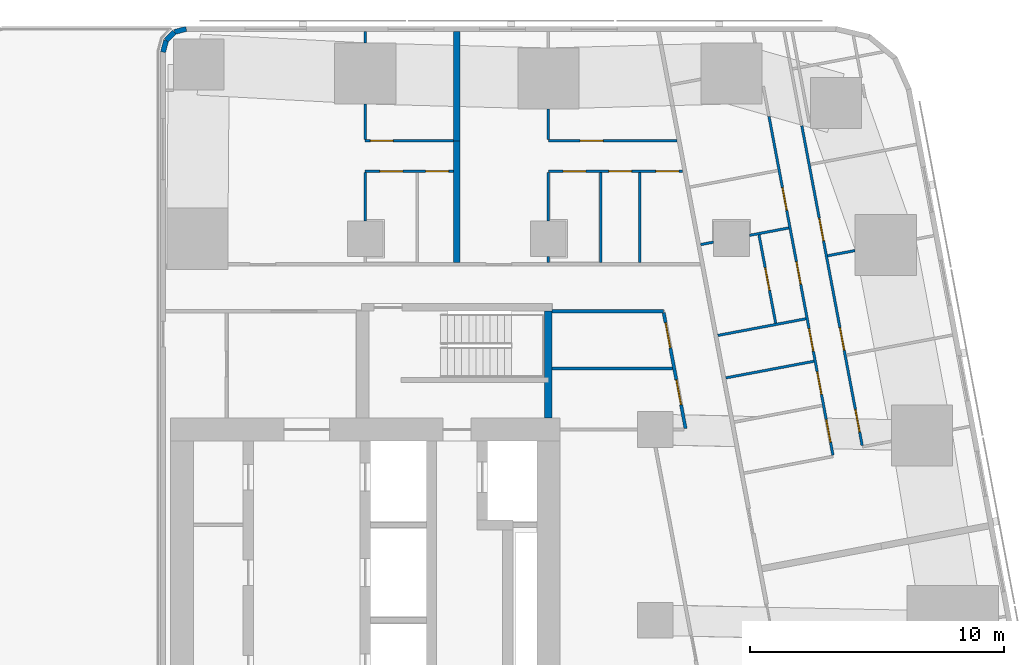
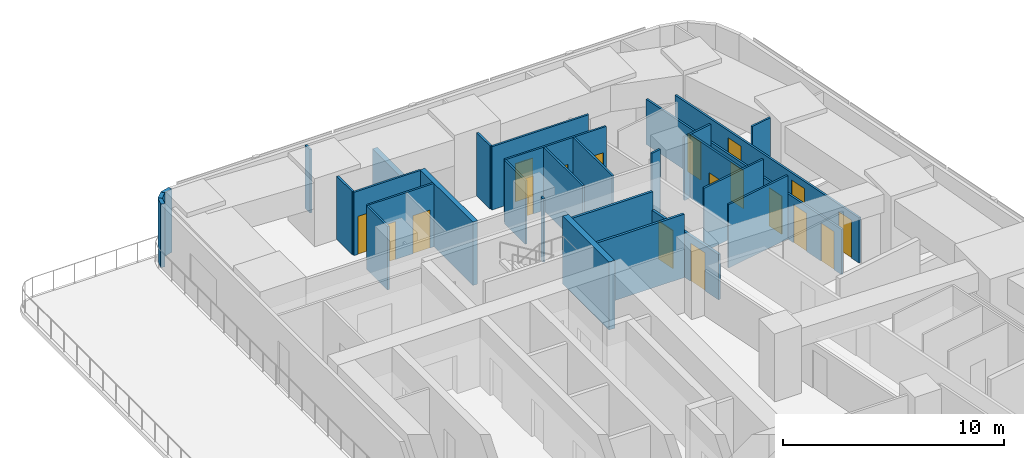
# One storey, part 7 of 11: 29 walls, 18 doors, 18 openings.
"""IFC4 building model written with IfcOpenShell, lengths in metres."""

from ifc_helpers import new_model, si_unit, direction, frame, frame_2d, origin, place, context, subcontext, project, spatial, rectangle, extrude, material, layer, layer_set, type_object, element, fill, save


model = new_model("IFC4")

# Units and contexts
model_context = context("Model", 3, precision=1e-05, world=origin(), true_north=direction((0.0, 1.0)))
body_context = subcontext(model_context, "Body", "Model", "MODEL_VIEW")
ifc_project = project(units=[si_unit("LENGTHUNIT", "METRE"), si_unit("AREAUNIT", "SQUARE_METRE"), si_unit("VOLUMEUNIT", "CUBIC_METRE"), si_unit("PLANEANGLEUNIT", "RADIAN"), si_unit("MASSUNIT", "GRAM", prefix="KILO")], contexts=[model_context])

# Site, building, storey
site_placement = place(None, origin())
site = spatial("IfcSite", under=ifc_project, at=site_placement, CompositionType="ELEMENT")
building_placement = place(site_placement, origin())
building = spatial("IfcBuilding", under=site, at=building_placement, Name="Sheger Commons Tower", CompositionType="ELEMENT")
storey_placement = place(building_placement, frame((0.0, 0.0, 223.699951171875)))
storey = spatial("IfcBuildingStorey", under=building, at=storey_placement, Name="L57", CompositionType="ELEMENT", Elevation=223.699951171875)

# Walls
ifc_material_1 = material(Name="Dense concrete block masonry, plastered both sides (separating wall between flats)", Category="masonry")
ifc_layer_1 = layer(ifc_material_1, 0.25)
ifc_layer_set_1 = layer_set([ifc_layer_1], Name="DEMISING WALL 250")
wall_type_1 = type_object("IfcWallType", Name="DEMISING WALL 250", PredefinedType="SOLIDWALL", material=ifc_layer_set_1)
wall_1_placement = place(storey_placement, frame((25.199951171875, 41.35009765625, 0.0), z_axis=(0.0, 0.0, 1.0), x_axis=(0.0, 1.0, 0.0)))
element("IfcWall", 1, at=wall_1_placement, inside=storey, type_object=wall_type_1, Name="Demising wall L57", PredefinedType="SOLIDWALL", context=body_context, shape_type="SweptSolid", body=[
    extrude(rectangle(XDim=4.2998046875, YDim=0.25, at=frame_2d((2.14990234375, 0.0))), origin(), (0.0, 0.0, 1.0), 2.050048828125),
])
wall_2_placement = place(storey_placement, frame((25.199951171875, 36.574951171875, 0.0), z_axis=(0.0, 0.0, 1.0), x_axis=(0.0, 1.0, 0.0)))
element("IfcWall", 2, at=wall_2_placement, inside=storey, type_object=wall_type_1, Name="Demising wall L57", PredefinedType="SOLIDWALL", context=body_context, shape_type="SweptSolid", body=[
    extrude(rectangle(XDim=4.775146484375, YDim=0.25, at=frame_2d((2.3876953125, 0.0))), origin(), (0.0, 0.0, 1.0), 3.5),
])
ifc_material_2 = material(Name="Rendered concrete block masonry, dark grey", Category="masonry")
ifc_layer_2 = layer(ifc_material_2, 0.199951171875)
ifc_layer_set_2 = layer_set([ifc_layer_2], Name="FACADE WALL 200")
wall_type_2 = type_object("IfcWallType", Name="FACADE WALL 200", PredefinedType="SOLIDWALL", material=ifc_layer_set_2)
wall_3_placement = place(storey_placement, frame((14.56298828125, 45.75, 0.0), z_axis=(0.0, 0.0, 1.0), x_axis=(-0.965655254015, -0.259826731483, 0.0)))
element("IfcWall", 3, at=wall_3_placement, inside=storey, type_object=wall_type_2, Name="Facade wall L57", PredefinedType="SOLIDWALL", context=body_context, shape_type="SweptSolid", body=[
    extrude(rectangle(XDim=0.477294921875, YDim=0.199951171875, at=frame_2d((0.23876953125, 0.0))), origin(), (0.0, 0.0, 1.0), 3.5),
])
wall_4_placement = place(storey_placement, frame((14.10205078125, 45.6259765625, 0.0), z_axis=(0.0, 0.0, 1.0), x_axis=(-0.707369890659, -0.706843573776, 0.0)))
element("IfcWall", 4, at=wall_4_placement, inside=storey, type_object=wall_type_2, Name="Facade wall L57", PredefinedType="SOLIDWALL", context=body_context, shape_type="SweptSolid", body=[
    extrude(rectangle(XDim=0.4638671875, YDim=0.199951171875, at=frame_2d((0.23193359375, 0.0))), origin(), (0.0, 0.0, 1.0), 3.5),
])
wall_5_placement = place(storey_placement, frame((13.77392578125, 45.298095703125, 0.0), z_axis=(0.0, 0.0, 1.0), x_axis=(-0.259698463175, -0.965689757751, 0.0)))
element("IfcWall", 5, at=wall_5_placement, inside=storey, type_object=wall_type_2, Name="Facade wall L57", PredefinedType="SOLIDWALL", context=body_context, shape_type="SweptSolid", body=[
    extrude(rectangle(XDim=0.4775390625, YDim=0.199951171875, at=frame_2d((0.23876953125, 0.0))), origin(), (0.0, 0.0, 1.0), 3.5),
])

# Wall, openings, doors
ifc_material_3 = material(Name="Gypsum board on steel studs", Category="steel")
ifc_layer_3 = layer(ifc_material_3, 0.10009765625)
ifc_layer_set_3 = layer_set([ifc_layer_3], Name="PARTITION 100")
wall_type_3 = type_object("IfcWallType", Name="PARTITION 100", PredefinedType="PARTITIONING", material=ifc_layer_set_3)
wall_6_placement = place(storey_placement, frame((38.763916015625, 41.94091796875, 0.0), z_axis=(0.0, 0.0, 1.0), x_axis=(0.185512176227, -0.982641965556, 0.0)))
wall_6 = element("IfcWall", 6, at=wall_6_placement, inside=storey, type_object=wall_type_3, Name="Partition L57", PredefinedType="PARTITIONING", context=body_context, shape_type="SweptSolid", body=[
    extrude(rectangle(XDim=12.791748046875, YDim=0.10009765625, at=frame_2d((6.39599609375, 0.0))), origin(), (0.0, 0.0, 1.0), 2.5),
])
opening_1_placement = place(wall_6_placement, frame((11.35009765625, 0.0, 0.0)))
opening_1 = element("IfcOpeningElement", 7, at=opening_1_placement, cuts=wall_6, Name="Opening D2", PredefinedType="OPENING", context=body_context, shape_type="SweptSolid", body=[
    extrude(rectangle(XDim=0.89990234375, YDim=2.10009765625, at=frame_2d((0.449951171875, 1.050048828125))), frame((0.0, 0.06005859375, 0.0), z_axis=(0.0, -1.0, 0.0), x_axis=(1.0, 0.0, 0.0)), (0.0, 0.0, 1.0), 0.1201171875),
])
opening_2_placement = place(wall_6_placement, frame((8.0849609375, 0.0, 0.0)))
opening_2 = element("IfcOpeningElement", 8, at=opening_2_placement, cuts=wall_6, Name="Opening D2", PredefinedType="OPENING", context=body_context, shape_type="SweptSolid", body=[
    extrude(rectangle(XDim=0.89990234375, YDim=2.10009765625, at=frame_2d((0.449951171875, 1.050048828125))), frame((0.0, 0.06005859375, 0.0), z_axis=(0.0, -1.0, 0.0), x_axis=(1.0, 0.0, 0.0)), (0.0, 0.0, 1.0), 0.1201171875),
])
opening_3_placement = place(wall_6_placement, frame((3.699951171875, 0.0, 0.0)))
opening_3 = element("IfcOpeningElement", 9, at=opening_3_placement, cuts=wall_6, Name="Opening D2", PredefinedType="OPENING", context=body_context, shape_type="SweptSolid", body=[
    extrude(rectangle(XDim=0.89990234375, YDim=2.10009765625, at=frame_2d((0.449951171875, 1.050048828125))), frame((0.0, 0.06005859375, 0.0), z_axis=(0.0, -1.0, 0.0), x_axis=(1.0, 0.0, 0.0)), (0.0, 0.0, 1.0), 0.1201171875),
])
ifc_material_4 = material(Name="Timber door set", Category="wood")
door_type_1 = type_object("IfcDoorType", Name="INTERNAL DOOR 900x2100", OperationType="NOTDEFINED", PredefinedType="DOOR", material=ifc_material_4)
door_1_placement = place(opening_1_placement, origin())
door_1 = element("IfcDoor", 10, at=door_1_placement, inside=storey, type_object=door_type_1, Name="Main bedroom door", OperationType="SINGLE_SWING_RIGHT", OverallHeight=2.10009765625, OverallWidth=0.89990234375, PredefinedType="DOOR", context=body_context, shape_type="SweptSolid", body=[
    extrude(rectangle(XDim=0.89990234375, YDim=2.10009765625, at=frame_2d((0.449951171875, 1.050048828125))), frame((0.0, 0.02490234375, 0.0), z_axis=(0.0, -1.0, 0.0), x_axis=(1.0, 0.0, 0.0)), (0.0, 0.0, 1.0), 0.050048828125),
])
fill(opening_1, door_1)
door_2_placement = place(opening_2_placement, origin())
door_2 = element("IfcDoor", 11, at=door_2_placement, inside=storey, type_object=door_type_1, Name="Bedroom 2 door", OperationType="SINGLE_SWING_RIGHT", OverallHeight=2.10009765625, OverallWidth=0.89990234375, PredefinedType="DOOR", context=body_context, shape_type="SweptSolid", body=[
    extrude(rectangle(XDim=0.89990234375, YDim=2.10009765625, at=frame_2d((0.449951171875, 1.050048828125))), frame((0.0, 0.02490234375, 0.0), z_axis=(0.0, -1.0, 0.0), x_axis=(1.0, 0.0, 0.0)), (0.0, 0.0, 1.0), 0.050048828125),
])
fill(opening_2, door_2)
door_3_placement = place(opening_3_placement, origin())
door_3 = element("IfcDoor", 12, at=door_3_placement, inside=storey, type_object=door_type_1, Name="Bedroom 3 door", OperationType="SINGLE_SWING_RIGHT", OverallHeight=2.10009765625, OverallWidth=0.89990234375, PredefinedType="DOOR", context=body_context, shape_type="SweptSolid", body=[
    extrude(rectangle(XDim=0.89990234375, YDim=2.10009765625, at=frame_2d((0.449951171875, 1.050048828125))), frame((0.0, 0.02490234375, 0.0), z_axis=(0.0, -1.0, 0.0), x_axis=(1.0, 0.0, 0.0)), (0.0, 0.0, 1.0), 0.050048828125),
])
fill(opening_3, door_3)

wall_7_placement = place(storey_placement, frame((37.472900390625, 42.30908203125, 0.0), z_axis=(0.0, 0.0, 1.0), x_axis=(0.185570636839, -0.982630927024, 0.0)))
wall_7 = element("IfcWall", 13, at=wall_7_placement, inside=storey, type_object=wall_type_3, Name="Partition L57", PredefinedType="PARTITIONING", context=body_context, shape_type="SweptSolid", body=[
    extrude(rectangle(XDim=13.553466796875, YDim=0.10009765625, at=frame_2d((6.77685546875, 0.0))), origin(), (0.0, 0.0, 1.0), 2.5),
])
opening_4_placement = place(wall_7_placement, frame((12.1279296875, 0.0, 0.0)))
opening_4 = element("IfcOpeningElement", 14, at=opening_4_placement, cuts=wall_7, Name="Opening D2", PredefinedType="OPENING", context=body_context, shape_type="SweptSolid", body=[
    extrude(rectangle(XDim=0.89990234375, YDim=2.10009765625, at=frame_2d((0.449951171875, 1.050048828125))), frame((0.0, 0.06005859375, 0.0), z_axis=(0.0, -1.0, 0.0), x_axis=(1.0, 0.0, 0.0)), (0.0, 0.0, 1.0), 0.1201171875),
])
opening_5_placement = place(wall_7_placement, frame((8.487060546875, 0.0, 0.0)))
opening_5 = element("IfcOpeningElement", 15, at=opening_5_placement, cuts=wall_7, Name="Opening D2", PredefinedType="OPENING", context=body_context, shape_type="SweptSolid", body=[
    extrude(rectangle(XDim=0.89990234375, YDim=2.10009765625, at=frame_2d((0.449951171875, 1.050048828125))), frame((0.0, 0.06005859375, 0.0), z_axis=(0.0, -1.0, 0.0), x_axis=(1.0, 0.0, 0.0)), (0.0, 0.0, 1.0), 0.1201171875),
])
opening_6_placement = place(wall_7_placement, frame((2.85302734375, 0.0, 0.0)))
opening_6 = element("IfcOpeningElement", 16, at=opening_6_placement, cuts=wall_7, Name="Opening D2", PredefinedType="OPENING", context=body_context, shape_type="SweptSolid", body=[
    extrude(rectangle(XDim=0.89990234375, YDim=2.10009765625, at=frame_2d((0.449951171875, 1.050048828125))), frame((0.0, 0.06005859375, 0.0), z_axis=(0.0, -1.0, 0.0), x_axis=(1.0, 0.0, 0.0)), (0.0, 0.0, 1.0), 0.1201171875),
])
opening_7_placement = place(wall_7_placement, frame((10.219970703125, 0.0, 0.0)))
opening_7 = element("IfcOpeningElement", 17, at=opening_7_placement, cuts=wall_7, Name="Opening D2", PredefinedType="OPENING", context=body_context, shape_type="SweptSolid", body=[
    extrude(rectangle(XDim=0.89990234375, YDim=2.10009765625, at=frame_2d((0.449951171875, 1.050048828125))), frame((0.0, 0.06005859375, 0.0), z_axis=(0.0, -1.0, 0.0), x_axis=(1.0, 0.0, 0.0)), (0.0, 0.0, 1.0), 0.1201171875),
])
opening_8_placement = place(wall_7_placement, frame((5.819091796875, 0.0, 0.0)))
opening_8 = element("IfcOpeningElement", 18, at=opening_8_placement, cuts=wall_7, Name="Opening D2", PredefinedType="OPENING", context=body_context, shape_type="SweptSolid", body=[
    extrude(rectangle(XDim=0.89990234375, YDim=2.10009765625, at=frame_2d((0.449951171875, 1.050048828125))), frame((0.0, 0.06005859375, 0.0), z_axis=(0.0, -1.0, 0.0), x_axis=(1.0, 0.0, 0.0)), (0.0, 0.0, 1.0), 0.1201171875),
])
door_4_placement = place(opening_4_placement, origin())
door_4 = element("IfcDoor", 19, at=door_4_placement, inside=storey, type_object=door_type_1, Name="Bathroom door", OperationType="SINGLE_SWING_LEFT", OverallHeight=2.10009765625, OverallWidth=0.89990234375, PredefinedType="DOOR", context=body_context, shape_type="SweptSolid", body=[
    extrude(rectangle(XDim=0.89990234375, YDim=2.10009765625, at=frame_2d((0.449951171875, 1.050048828125))), frame((0.0, 0.02490234375, 0.0), z_axis=(0.0, -1.0, 0.0), x_axis=(1.0, 0.0, 0.0)), (0.0, 0.0, 1.0), 0.050048828125),
])
fill(opening_4, door_4)
door_5_placement = place(opening_5_placement, origin())
door_5 = element("IfcDoor", 20, at=door_5_placement, inside=storey, type_object=door_type_1, Name="Laundry room door", OperationType="SINGLE_SWING_LEFT", OverallHeight=2.10009765625, OverallWidth=0.89990234375, PredefinedType="DOOR", context=body_context, shape_type="SweptSolid", body=[
    extrude(rectangle(XDim=0.89990234375, YDim=2.10009765625, at=frame_2d((0.449951171875, 1.050048828125))), frame((0.0, 0.02490234375, 0.0), z_axis=(0.0, -1.0, 0.0), x_axis=(1.0, 0.0, 0.0)), (0.0, 0.0, 1.0), 0.050048828125),
])
fill(opening_5, door_5)
door_6_placement = place(opening_6_placement, origin())
door_6 = element("IfcDoor", 21, at=door_6_placement, inside=storey, type_object=door_type_1, Name="Laundry room door", OperationType="SINGLE_SWING_LEFT", OverallHeight=2.10009765625, OverallWidth=0.89990234375, PredefinedType="DOOR", context=body_context, shape_type="SweptSolid", body=[
    extrude(rectangle(XDim=0.89990234375, YDim=2.10009765625, at=frame_2d((0.449951171875, 1.050048828125))), frame((0.0, 0.02490234375, 0.0), z_axis=(0.0, -1.0, 0.0), x_axis=(1.0, 0.0, 0.0)), (0.0, 0.0, 1.0), 0.050048828125),
])
fill(opening_6, door_6)
door_7_placement = place(opening_7_placement, origin())
door_7 = element("IfcDoor", 22, at=door_7_placement, inside=storey, type_object=door_type_1, Name="Store door", OperationType="SINGLE_SWING_RIGHT", OverallHeight=2.10009765625, OverallWidth=0.89990234375, PredefinedType="DOOR", context=body_context, shape_type="SweptSolid", body=[
    extrude(rectangle(XDim=0.89990234375, YDim=2.10009765625, at=frame_2d((0.449951171875, 1.050048828125))), frame((0.0, 0.02490234375, 0.0), z_axis=(0.0, -1.0, 0.0), x_axis=(1.0, 0.0, 0.0)), (0.0, 0.0, 1.0), 0.050048828125),
])
fill(opening_7, door_7)
door_8_placement = place(opening_8_placement, origin())
door_8 = element("IfcDoor", 23, at=door_8_placement, inside=storey, type_object=door_type_1, Name="Store door", OperationType="SINGLE_SWING_RIGHT", OverallHeight=2.10009765625, OverallWidth=0.89990234375, PredefinedType="DOOR", context=body_context, shape_type="SweptSolid", body=[
    extrude(rectangle(XDim=0.89990234375, YDim=2.10009765625, at=frame_2d((0.449951171875, 1.050048828125))), frame((0.0, 0.02490234375, 0.0), z_axis=(0.0, -1.0, 0.0), x_axis=(1.0, 0.0, 0.0)), (0.0, 0.0, 1.0), 0.050048828125),
])
fill(opening_8, door_8)

# Walls
wall_8_placement = place(storey_placement, frame((40.85400390625, 37.033935546875, 0.0), z_axis=(0.0, 0.0, 1.0), x_axis=(-0.982651678759, -0.185460718839, 0.0)))
element("IfcWall", 24, at=wall_8_placement, inside=storey, type_object=wall_type_3, Name="Partition L57", PredefinedType="PARTITIONING", context=body_context, shape_type="SweptSolid", body=[
    extrude(rectangle(XDim=1.093994140625, YDim=0.10009765625, at=frame_2d((0.546875, 0.0))), origin(), (0.0, 0.0, 1.0), 3.5),
])
wall_9_placement = place(storey_placement, frame((38.25, 37.925048828125, 0.0), z_axis=(0.0, 0.0, 1.0), x_axis=(-0.982610209589, -0.185680305934, 0.0)))
element("IfcWall", 25, at=wall_9_placement, inside=storey, type_object=wall_type_3, Name="Partition L57", PredefinedType="PARTITIONING", context=body_context, shape_type="SweptSolid", body=[
    extrude(rectangle(XDim=1.5673828125, YDim=0.10009765625, at=frame_2d((0.78369140625, 0.0))), origin(), (0.0, 0.0, 1.0), 3.5),
])
wall_10_placement = place(storey_placement, frame((35.2900390625, 37.365966796875, 0.0), z_axis=(0.0, 0.0, 1.0), x_axis=(-0.982715597703, -0.185121727606, 0.0)))
element("IfcWall", 26, at=wall_10_placement, inside=storey, type_object=wall_type_3, Name="Partition L57", PredefinedType="PARTITIONING", context=body_context, shape_type="SweptSolid", body=[
    extrude(rectangle(XDim=0.512939453125, YDim=0.10009765625, at=frame_2d((0.25634765625, 0.0))), origin(), (0.0, 0.0, 1.0), 3.5),
])
wall_11_placement = place(storey_placement, frame((39.239990234375, 32.68310546875, 0.0), z_axis=(0.0, 0.0, 1.0), x_axis=(-0.982638553676, -0.185530247748, 0.0)))
element("IfcWall", 27, at=wall_11_placement, inside=storey, type_object=wall_type_3, Name="Partition L57", PredefinedType="PARTITIONING", context=body_context, shape_type="SweptSolid", body=[
    extrude(rectangle(XDim=3.525390625, YDim=0.10009765625, at=frame_2d((1.7626953125, 0.0))), origin(), (0.0, 0.0, 1.0), 3.5),
])
wall_12_placement = place(storey_placement, frame((38.924072265625, 34.35302734375, 0.0), z_axis=(0.0, 0.0, 1.0), x_axis=(-0.982629014545, -0.18558076348, 0.0)))
element("IfcWall", 28, at=wall_12_placement, inside=storey, type_object=wall_type_3, Name="Partition L57", PredefinedType="PARTITIONING", context=body_context, shape_type="SweptSolid", body=[
    extrude(rectangle(XDim=3.5244140625, YDim=0.10009765625, at=frame_2d((1.76220703125, 0.0))), origin(), (0.0, 0.0, 1.0), 3.5),
])

# Wall, opening, door
wall_13_placement = place(storey_placement, frame((21.60009765625, 41.35009765625, 0.0), z_axis=(0.0, 0.0, 1.0), x_axis=(1.0, 0.0, 0.0)))
wall_13 = element("IfcWall", 29, at=wall_13_placement, inside=storey, type_object=wall_type_3, Name="Partition L57", PredefinedType="PARTITIONING", context=body_context, shape_type="SweptSolid", body=[
    extrude(rectangle(XDim=3.474853515625, YDim=0.10009765625, at=frame_2d((1.7373046875, 0.0))), origin(), (0.0, 0.0, 1.0), 3.5),
])
opening_9_placement = place(wall_13_placement, frame((0.199951171875, 0.0, 0.0)))
opening_9 = element("IfcOpeningElement", 30, at=opening_9_placement, cuts=wall_13, Name="Opening D2", PredefinedType="OPENING", context=body_context, shape_type="SweptSolid", body=[
    extrude(rectangle(XDim=0.89990234375, YDim=2.10009765625, at=frame_2d((0.449951171875, 1.050048828125))), frame((0.0, 0.06005859375, 0.0), z_axis=(0.0, -1.0, 0.0), x_axis=(1.0, 0.0, 0.0)), (0.0, 0.0, 1.0), 0.1201171875),
])
door_9_placement = place(opening_9_placement, origin())
door_9 = element("IfcDoor", 31, at=door_9_placement, inside=storey, type_object=door_type_1, Name="Main bedroom door", OperationType="SINGLE_SWING_LEFT", OverallHeight=2.10009765625, OverallWidth=0.89990234375, PredefinedType="DOOR", context=body_context, shape_type="SweptSolid", body=[
    extrude(rectangle(XDim=0.89990234375, YDim=2.10009765625, at=frame_2d((0.449951171875, 1.050048828125))), frame((0.0, 0.02490234375, 0.0), z_axis=(0.0, -1.0, 0.0), x_axis=(1.0, 0.0, 0.0)), (0.0, 0.0, 1.0), 0.050048828125),
])
fill(opening_9, door_9)

# Wall, openings, doors
wall_14_placement = place(storey_placement, frame((21.60009765625, 40.14990234375, 0.0), z_axis=(0.0, 0.0, 1.0), x_axis=(1.0, 0.0, 0.0)))
wall_14 = element("IfcWall", 32, at=wall_14_placement, inside=storey, type_object=wall_type_3, Name="Partition L57", PredefinedType="PARTITIONING", context=body_context, shape_type="SweptSolid", body=[
    extrude(rectangle(XDim=3.474853515625, YDim=0.10009765625, at=frame_2d((1.7373046875, 0.0))), origin(), (0.0, 0.0, 1.0), 3.5),
])
opening_10_placement = place(wall_14_placement, frame((0.574951171875, 0.0, 0.0)))
opening_10 = element("IfcOpeningElement", 33, at=opening_10_placement, cuts=wall_14, Name="Opening D2", PredefinedType="OPENING", context=body_context, shape_type="SweptSolid", body=[
    extrude(rectangle(XDim=0.89990234375, YDim=2.10009765625, at=frame_2d((0.449951171875, 1.050048828125))), frame((0.0, 0.06005859375, 0.0), z_axis=(0.0, -1.0, 0.0), x_axis=(1.0, 0.0, 0.0)), (0.0, 0.0, 1.0), 0.1201171875),
])
opening_11_placement = place(wall_14_placement, frame((2.375, 0.0, 0.0)))
opening_11 = element("IfcOpeningElement", 34, at=opening_11_placement, cuts=wall_14, Name="Opening D2", PredefinedType="OPENING", context=body_context, shape_type="SweptSolid", body=[
    extrude(rectangle(XDim=0.89990234375, YDim=2.10009765625, at=frame_2d((0.449951171875, 1.050048828125))), frame((0.0, 0.06005859375, 0.0), z_axis=(0.0, -1.0, 0.0), x_axis=(1.0, 0.0, 0.0)), (0.0, 0.0, 1.0), 0.1201171875),
])
door_10_placement = place(opening_10_placement, origin())
door_10 = element("IfcDoor", 35, at=door_10_placement, inside=storey, type_object=door_type_1, Name="Bathroom door", OperationType="SINGLE_SWING_RIGHT", OverallHeight=2.10009765625, OverallWidth=0.89990234375, PredefinedType="DOOR", context=body_context, shape_type="SweptSolid", body=[
    extrude(rectangle(XDim=0.89990234375, YDim=2.10009765625, at=frame_2d((0.449951171875, 1.050048828125))), frame((0.0, 0.02490234375, 0.0), z_axis=(0.0, -1.0, 0.0), x_axis=(1.0, 0.0, 0.0)), (0.0, 0.0, 1.0), 0.050048828125),
])
fill(opening_10, door_10)
door_11_placement = place(opening_11_placement, origin())
door_11 = element("IfcDoor", 36, at=door_11_placement, inside=storey, type_object=door_type_1, Name="Store door", OperationType="SINGLE_SWING_LEFT", OverallHeight=2.10009765625, OverallWidth=0.89990234375, PredefinedType="DOOR", context=body_context, shape_type="SweptSolid", body=[
    extrude(rectangle(XDim=0.89990234375, YDim=2.10009765625, at=frame_2d((0.449951171875, 1.050048828125))), frame((0.0, 0.02490234375, 0.0), z_axis=(0.0, -1.0, 0.0), x_axis=(1.0, 0.0, 0.0)), (0.0, 0.0, 1.0), 0.050048828125),
])
fill(opening_11, door_11)

# Walls
wall_15_placement = place(storey_placement, frame((21.60009765625, 41.39990234375, 0.0), z_axis=(0.0, 0.0, 1.0), x_axis=(0.0, 1.0, 0.0)))
element("IfcWall", 37, at=wall_15_placement, inside=storey, type_object=wall_type_3, Name="Partition L57", PredefinedType="PARTITIONING", context=body_context, shape_type="SweptSolid", body=[
    extrude(rectangle(XDim=1.399169921875, YDim=0.10009765625, at=frame_2d((0.69970703125, 0.0))), origin(), (0.0, 0.0, 1.0), 3.5),
])
wall_16_placement = place(storey_placement, frame((21.60009765625, 45.200927734375, 0.0), z_axis=(0.0, 0.0, 1.0), x_axis=(0.0, 1.0, 0.0)))
element("IfcWall", 38, at=wall_16_placement, inside=storey, type_object=wall_type_3, Name="Partition L57", PredefinedType="PARTITIONING", context=body_context, shape_type="SweptSolid", body=[
    extrude(rectangle(XDim=0.448974609375, YDim=0.10009765625, at=frame_2d((0.224609375, 0.0))), origin(), (0.0, 0.0, 1.0), 3.5),
])
wall_17_placement = place(storey_placement, frame((21.60009765625, 38.200927734375, 0.0), z_axis=(0.0, 0.0, 1.0), x_axis=(0.0, 1.0, 0.0)))
element("IfcWall", 39, at=wall_17_placement, inside=storey, type_object=wall_type_3, Name="Partition L57", PredefinedType="PARTITIONING", context=body_context, shape_type="SweptSolid", body=[
    extrude(rectangle(XDim=1.899169921875, YDim=0.10009765625, at=frame_2d((0.94970703125, 0.0))), origin(), (0.0, 0.0, 1.0), 3.5),
])

# Wall, opening, door
wall_18_placement = place(storey_placement, frame((28.800048828125, 41.35009765625, 0.0), z_axis=(0.0, 0.0, 1.0), x_axis=(1.0, 0.0, 0.0)))
wall_18 = element("IfcWall", 40, at=wall_18_placement, inside=storey, type_object=wall_type_3, Name="Partition L57", PredefinedType="PARTITIONING", context=body_context, shape_type="SweptSolid", body=[
    extrude(rectangle(XDim=5.052978515625, YDim=0.10009765625, at=frame_2d((2.5263671875, 0.0))), origin(), (0.0, 0.0, 1.0), 3.5),
])
opening_12_placement = place(wall_18_placement, frame((1.25, 0.0, 0.0)))
opening_12 = element("IfcOpeningElement", 41, at=opening_12_placement, cuts=wall_18, Name="Opening D2", PredefinedType="OPENING", context=body_context, shape_type="SweptSolid", body=[
    extrude(rectangle(XDim=0.89990234375, YDim=2.10009765625, at=frame_2d((0.449951171875, 1.050048828125))), frame((0.0, 0.06005859375, 0.0), z_axis=(0.0, -1.0, 0.0), x_axis=(1.0, 0.0, 0.0)), (0.0, 0.0, 1.0), 0.1201171875),
])
door_12_placement = place(opening_12_placement, origin())
door_12 = element("IfcDoor", 42, at=door_12_placement, inside=storey, type_object=door_type_1, Name="Main bedroom door", OperationType="SINGLE_SWING_RIGHT", OverallHeight=2.10009765625, OverallWidth=0.89990234375, PredefinedType="DOOR", context=body_context, shape_type="SweptSolid", body=[
    extrude(rectangle(XDim=0.89990234375, YDim=2.10009765625, at=frame_2d((0.449951171875, 1.050048828125))), frame((0.0, 0.02490234375, 0.0), z_axis=(0.0, -1.0, 0.0), x_axis=(1.0, 0.0, 0.0)), (0.0, 0.0, 1.0), 0.050048828125),
])
fill(opening_12, door_12)

# Wall, openings, doors
wall_19_placement = place(storey_placement, frame((28.800048828125, 40.14990234375, 0.0), z_axis=(0.0, 0.0, 1.0), x_axis=(1.0, 0.0, 0.0)))
wall_19 = element("IfcWall", 43, at=wall_19_placement, inside=storey, type_object=wall_type_3, Name="Partition L57", PredefinedType="PARTITIONING", context=body_context, shape_type="SweptSolid", body=[
    extrude(rectangle(XDim=5.280029296875, YDim=0.10009765625, at=frame_2d((2.64013671875, 0.0))), origin(), (0.0, 0.0, 1.0), 3.5),
])
opening_13_placement = place(wall_19_placement, frame((0.574951171875, 0.0, 0.0)))
opening_13 = element("IfcOpeningElement", 44, at=opening_13_placement, cuts=wall_19, Name="Opening D2", PredefinedType="OPENING", context=body_context, shape_type="SweptSolid", body=[
    extrude(rectangle(XDim=0.89990234375, YDim=2.10009765625, at=frame_2d((0.449951171875, 1.050048828125))), frame((0.0, 0.06005859375, 0.0), z_axis=(0.0, -1.0, 0.0), x_axis=(1.0, 0.0, 0.0)), (0.0, 0.0, 1.0), 0.1201171875),
])
opening_14_placement = place(wall_19_placement, frame((4.22998046875, 0.0, 0.0)))
opening_14 = element("IfcOpeningElement", 45, at=opening_14_placement, cuts=wall_19, Name="Opening D2", PredefinedType="OPENING", context=body_context, shape_type="SweptSolid", body=[
    extrude(rectangle(XDim=0.89990234375, YDim=2.10009765625, at=frame_2d((0.449951171875, 1.050048828125))), frame((0.0, 0.06005859375, 0.0), z_axis=(0.0, -1.0, 0.0), x_axis=(1.0, 0.0, 0.0)), (0.0, 0.0, 1.0), 0.1201171875),
])
opening_15_placement = place(wall_19_placement, frame((2.375, 0.0, 0.0)))
opening_15 = element("IfcOpeningElement", 46, at=opening_15_placement, cuts=wall_19, Name="Opening D2", PredefinedType="OPENING", context=body_context, shape_type="SweptSolid", body=[
    extrude(rectangle(XDim=0.89990234375, YDim=2.10009765625, at=frame_2d((0.449951171875, 1.050048828125))), frame((0.0, 0.06005859375, 0.0), z_axis=(0.0, -1.0, 0.0), x_axis=(1.0, 0.0, 0.0)), (0.0, 0.0, 1.0), 0.1201171875),
])
door_13_placement = place(opening_13_placement, origin())
door_13 = element("IfcDoor", 47, at=door_13_placement, inside=storey, type_object=door_type_1, Name="Bathroom door", OperationType="SINGLE_SWING_RIGHT", OverallHeight=2.10009765625, OverallWidth=0.89990234375, PredefinedType="DOOR", context=body_context, shape_type="SweptSolid", body=[
    extrude(rectangle(XDim=0.89990234375, YDim=2.10009765625, at=frame_2d((0.449951171875, 1.050048828125))), frame((0.0, 0.02490234375, 0.0), z_axis=(0.0, -1.0, 0.0), x_axis=(1.0, 0.0, 0.0)), (0.0, 0.0, 1.0), 0.050048828125),
])
fill(opening_13, door_13)
door_14_placement = place(opening_14_placement, origin())
door_14 = element("IfcDoor", 48, at=door_14_placement, inside=storey, type_object=door_type_1, Name="Laundry room door", OperationType="SINGLE_SWING_LEFT", OverallHeight=2.10009765625, OverallWidth=0.89990234375, PredefinedType="DOOR", context=body_context, shape_type="SweptSolid", body=[
    extrude(rectangle(XDim=0.89990234375, YDim=2.10009765625, at=frame_2d((0.449951171875, 1.050048828125))), frame((0.0, 0.02490234375, 0.0), z_axis=(0.0, -1.0, 0.0), x_axis=(1.0, 0.0, 0.0)), (0.0, 0.0, 1.0), 0.050048828125),
])
fill(opening_14, door_14)
door_15_placement = place(opening_15_placement, origin())
door_15 = element("IfcDoor", 49, at=door_15_placement, inside=storey, type_object=door_type_1, Name="Store door", OperationType="SINGLE_SWING_LEFT", OverallHeight=2.10009765625, OverallWidth=0.89990234375, PredefinedType="DOOR", context=body_context, shape_type="SweptSolid", body=[
    extrude(rectangle(XDim=0.89990234375, YDim=2.10009765625, at=frame_2d((0.449951171875, 1.050048828125))), frame((0.0, 0.02490234375, 0.0), z_axis=(0.0, -1.0, 0.0), x_axis=(1.0, 0.0, 0.0)), (0.0, 0.0, 1.0), 0.050048828125),
])
fill(opening_15, door_15)

# Walls
wall_20_placement = place(storey_placement, frame((28.800048828125, 41.39990234375, 0.0), z_axis=(0.0, 0.0, 1.0), x_axis=(0.0, 1.0, 0.0)))
element("IfcWall", 50, at=wall_20_placement, inside=storey, type_object=wall_type_3, Name="Partition L57", PredefinedType="PARTITIONING", context=body_context, shape_type="SweptSolid", body=[
    extrude(rectangle(XDim=1.19921875, YDim=0.10009765625, at=frame_2d((0.599609375, 0.0))), origin(), (0.0, 0.0, 1.0), 3.5),
])
wall_21_placement = place(storey_placement, frame((28.800048828125, 36.574951171875, 0.0), z_axis=(0.0, 0.0, 1.0), x_axis=(0.0, 1.0, 0.0)))
element("IfcWall", 51, at=wall_21_placement, inside=storey, type_object=wall_type_3, Name="Partition L57", PredefinedType="PARTITIONING", context=body_context, shape_type="SweptSolid", body=[
    extrude(rectangle(XDim=0.22412109375, YDim=0.10009765625, at=frame_2d((0.112060546875, 0.0))), origin(), (0.0, 0.0, 1.0), 3.5),
])
wall_22_placement = place(storey_placement, frame((28.800048828125, 38.200927734375, 0.0), z_axis=(0.0, 0.0, 1.0), x_axis=(0.0, 1.0, 0.0)))
element("IfcWall", 52, at=wall_22_placement, inside=storey, type_object=wall_type_3, Name="Partition L57", PredefinedType="PARTITIONING", context=body_context, shape_type="SweptSolid", body=[
    extrude(rectangle(XDim=1.899169921875, YDim=0.10009765625, at=frame_2d((0.94970703125, 0.0))), origin(), (0.0, 0.0, 1.0), 3.5),
])
for number, where, z_axis, x_axis, name in (
    (53, (32.39990234375, 36.574951171875, 0.0), (0.0, 0.0, 1.0), (0.0, 1.0, 0.0), "Partition L57"),
    (54, (30.85009765625, 36.574951171875, 0.0), (0.0, 0.0, 1.0), (0.0, 1.0, 0.0), "Partition L57"),
):
    element("IfcWall", number, at=place(storey_placement, frame(where, z_axis=z_axis, x_axis=x_axis)), inside=storey, type_object=wall_type_3, Name=name, PredefinedType="PARTITIONING", context=body_context, shape_type="SweptSolid", body=[
        extrude(rectangle(XDim=3.525146484375, YDim=0.10009765625, at=frame_2d((1.7626953125, 0.0))), origin(), (0.0, 0.0, 1.0), 3.5),
    ])

# Wall, opening, door
wall_23_placement = place(storey_placement, frame((37.080078125, 37.653076171875, 0.0), z_axis=(0.0, 0.0, 1.0), x_axis=(0.185864634688, -0.982575359742, 0.0)))
wall_23 = element("IfcWall", 55, at=wall_23_placement, inside=storey, type_object=wall_type_3, Name="Partition L57", PredefinedType="PARTITIONING", context=body_context, shape_type="SweptSolid", body=[
    extrude(rectangle(XDim=3.53466796875, YDim=0.10009765625, at=frame_2d((1.767333984375, 0.0))), origin(), (0.0, 0.0, 1.0), 3.5),
])
opening_16_placement = place(wall_23_placement, frame((1.31689453125, 0.0, 0.0)))
opening_16 = element("IfcOpeningElement", 56, at=opening_16_placement, cuts=wall_23, Name="Opening D2", PredefinedType="OPENING", context=body_context, shape_type="SweptSolid", body=[
    extrude(rectangle(XDim=0.89990234375, YDim=2.10009765625, at=frame_2d((0.449951171875, 1.050048828125))), frame((0.0, 0.06005859375, 0.0), z_axis=(0.0, -1.0, 0.0), x_axis=(1.0, 0.0, 0.0)), (0.0, 0.0, 1.0), 0.1201171875),
])
door_16_placement = place(opening_16_placement, origin())
door_16 = element("IfcDoor", 57, at=door_16_placement, inside=storey, type_object=door_type_1, Name="Store door", OperationType="SINGLE_SWING_LEFT", OverallHeight=2.10009765625, OverallWidth=0.89990234375, PredefinedType="DOOR", context=body_context, shape_type="SweptSolid", body=[
    extrude(rectangle(XDim=0.89990234375, YDim=2.10009765625, at=frame_2d((0.449951171875, 1.050048828125))), frame((0.0, 0.02490234375, 0.0), z_axis=(0.0, -1.0, 0.0), x_axis=(1.0, 0.0, 0.0)), (0.0, 0.0, 1.0), 0.050048828125),
])
fill(opening_16, door_16)

# Wall
ifc_material_5 = material(Name="Gypsum board on steel studs, two layers each side, fire rated", Category="steel")
ifc_layer_4 = layer(ifc_material_5, 0.125)
ifc_layer_set_4 = layer_set([ifc_layer_4], Name="SERVICE WALL 125")
wall_type_4 = type_object("IfcWallType", Name="SERVICE WALL 125", PredefinedType="PARTITIONING", material=ifc_layer_set_4)
wall_24_placement = place(storey_placement, frame((28.949951171875, 34.64990234375, 0.0), z_axis=(0.0, 0.0, 1.0), x_axis=(1.0, 0.0, 0.0)))
element("IfcWall", 58, at=wall_24_placement, inside=storey, type_object=wall_type_4, Name="Service room wall L57", PredefinedType="PARTITIONING", context=body_context, shape_type="SweptSolid", body=[
    extrude(rectangle(XDim=4.381103515625, YDim=0.125, at=frame_2d((2.1904296875, 0.0))), origin(), (0.0, 0.0, 1.0), 3.5),
])

# Wall, openings, doors
wall_25_placement = place(storey_placement, frame((34.193115234375, 30.0400390625, 0.0), z_axis=(0.0, 0.0, 1.0), x_axis=(-0.185626015863, 0.982620467034, 0.0)))
wall_25 = element("IfcWall", 59, at=wall_25_placement, inside=storey, type_object=wall_type_4, Name="Service room wall L57", PredefinedType="PARTITIONING", context=body_context, shape_type="SweptSolid", body=[
    extrude(rectangle(XDim=4.628173828125, YDim=0.125, at=frame_2d((2.31396484375, 0.0))), origin(), (0.0, 0.0, 1.0), 2.5),
])
opening_17_placement = place(wall_25_placement, frame((0.949951171875, 0.0, 0.0)))
opening_17 = element("IfcOpeningElement", 60, at=opening_17_placement, cuts=wall_25, Name="Opening D4", PredefinedType="OPENING", context=body_context, shape_type="SweptSolid", body=[
    extrude(rectangle(XDim=1.0, YDim=2.10009765625, at=frame_2d((0.5, 1.050048828125))), frame((0.0, 0.072509765625, 0.0), z_axis=(0.0, -1.0, 0.0), x_axis=(1.0, 0.0, 0.0)), (0.0, 0.0, 1.0), 0.14501953125),
])
opening_18_placement = place(wall_25_placement, frame((3.22509765625, 0.0, 0.0)))
opening_18 = element("IfcOpeningElement", 61, at=opening_18_placement, cuts=wall_25, Name="Opening D4", PredefinedType="OPENING", context=body_context, shape_type="SweptSolid", body=[
    extrude(rectangle(XDim=1.0, YDim=2.10009765625, at=frame_2d((0.5, 1.050048828125))), frame((0.0, 0.072509765625, 0.0), z_axis=(0.0, -1.0, 0.0), x_axis=(1.0, 0.0, 0.0)), (0.0, 0.0, 1.0), 0.14501953125),
])
ifc_material_6 = material(Name="Steel door set, fire rated", Category="steel")
door_type_2 = type_object("IfcDoorType", Name="SERVICE DOOR 1000x2100", OperationType="NOTDEFINED", PredefinedType="DOOR", material=ifc_material_6)
door_17_placement = place(opening_17_placement, origin())
door_17 = element("IfcDoor", 62, at=door_17_placement, inside=storey, type_object=door_type_2, Name="Linen store door", OperationType="SINGLE_SWING_RIGHT", OverallHeight=2.10009765625, OverallWidth=1.0, PredefinedType="DOOR", context=body_context, shape_type="SweptSolid", body=[
    extrude(rectangle(XDim=1.0, YDim=2.10009765625, at=frame_2d((0.5, 1.050048828125))), frame((0.0, 0.02490234375, 0.0), z_axis=(0.0, -1.0, 0.0), x_axis=(1.0, 0.0, 0.0)), (0.0, 0.0, 1.0), 0.050048828125),
])
fill(opening_17, door_17)
door_18_placement = place(opening_18_placement, origin())
door_18 = element("IfcDoor", 63, at=door_18_placement, inside=storey, type_object=door_type_2, Name="Cleaner's store door", OperationType="SINGLE_SWING_RIGHT", OverallHeight=2.10009765625, OverallWidth=1.0, PredefinedType="DOOR", context=body_context, shape_type="SweptSolid", body=[
    extrude(rectangle(XDim=1.0, YDim=2.10009765625, at=frame_2d((0.5, 1.050048828125))), frame((0.0, 0.02490234375, 0.0), z_axis=(0.0, -1.0, 0.0), x_axis=(1.0, 0.0, 0.0)), (0.0, 0.0, 1.0), 0.050048828125),
])
fill(opening_18, door_18)

# Walls
wall_26_placement = place(storey_placement, frame((28.949951171875, 32.39990234375, 0.0), z_axis=(0.0, 0.0, 1.0), x_axis=(1.0, 0.0, 0.0)))
element("IfcWall", 64, at=wall_26_placement, inside=storey, type_object=wall_type_4, Name="Service room wall L57", PredefinedType="PARTITIONING", context=body_context, shape_type="SweptSolid", body=[
    extrude(rectangle(XDim=4.72216796875, YDim=0.125, at=frame_2d((2.361083984375, 0.0))), origin(), (0.0, 0.0, 1.0), 3.5),
])
ifc_material_7 = material(Name="Concrete C50/60", Category="concrete")
ifc_layer_5 = layer(ifc_material_7, 0.300048828125)
ifc_layer_set_5 = layer_set([ifc_layer_5], Name="STAIR CORE WALL 300")
wall_type_5 = type_object("IfcWallType", Name="STAIR CORE WALL 300", PredefinedType="SHEAR", material=ifc_layer_set_5)
wall_27_placement = place(storey_placement, frame((28.800048828125, 30.449951171875, 0.0), z_axis=(0.0, 0.0, 1.0), x_axis=(0.0, 1.0, 0.0)))
element("IfcWall", 65, at=wall_27_placement, inside=storey, type_object=wall_type_5, Name="STW-L57-S2E", PredefinedType="SHEAR", context=body_context, shape_type="SweptSolid", body=[
    extrude(rectangle(XDim=4.199951171875, YDim=0.300048828125, at=frame_2d((2.10009765625, 0.0))), origin(), (0.0, 0.0, 1.0), 3.75),
])

save(model, "model.ifc")
